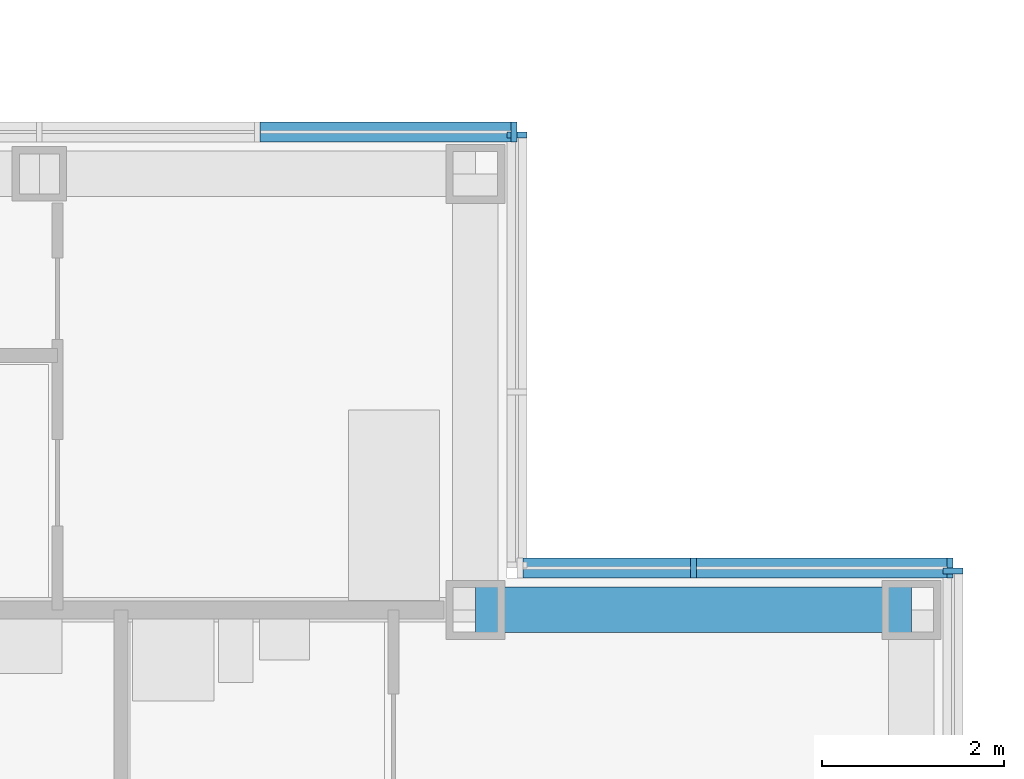
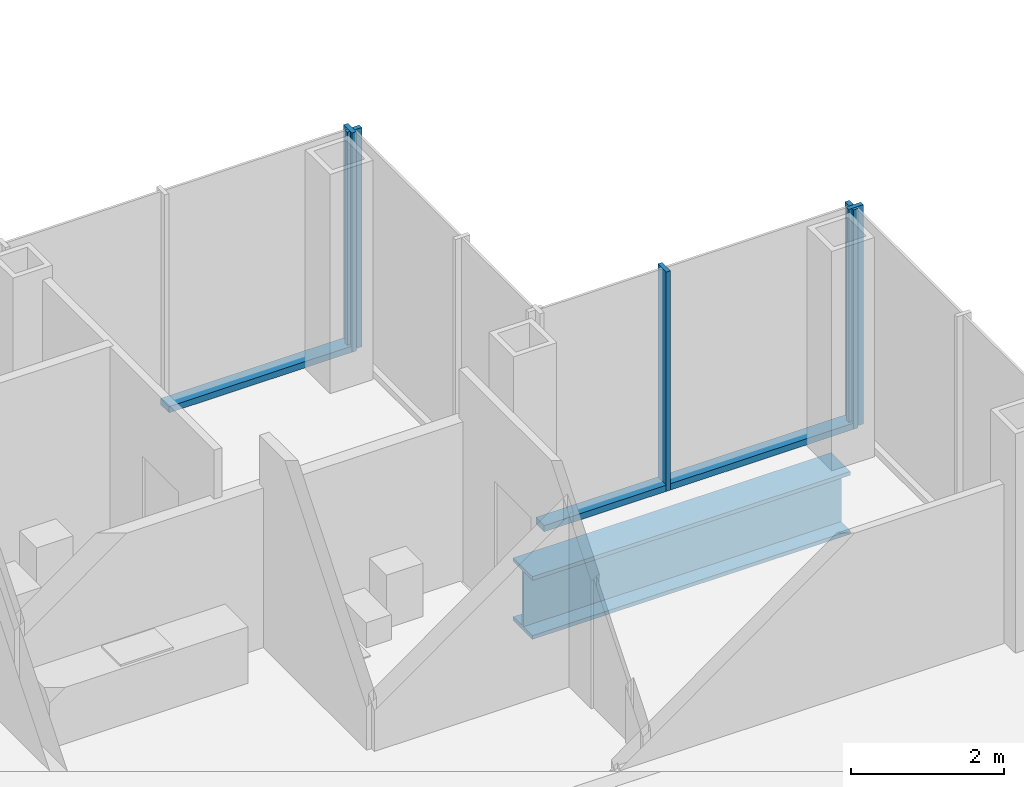
# One storey, part 9 of 19: 8 members, 1 beam, 4 elements without a shape of their own.
"""IFC4 building model written with IfcOpenShell, lengths in metres."""

from ifc_helpers import new_model, si_unit, direction, frame, origin, origin_2d, place, context, subcontext, project, spatial, rectangle, i_section, extrude, material, material_profile, profile_set, type_object, element, aggregate, save


model = new_model("IFC4")

# Units and contexts
model_context = context("Model", 3, precision=1e-05, world=origin(), true_north=direction((0.0, 1.0)))
body_context = subcontext(model_context, "Body", "Model", "MODEL_VIEW")
ifc_project = project(units=[si_unit("LENGTHUNIT", "METRE"), si_unit("AREAUNIT", "SQUARE_METRE"), si_unit("VOLUMEUNIT", "CUBIC_METRE"), si_unit("PLANEANGLEUNIT", "RADIAN"), si_unit("MASSUNIT", "GRAM", prefix="KILO")], contexts=[model_context])

# Site, building, storey
site_placement = place(None, origin())
site = spatial("IfcSite", under=ifc_project, at=site_placement, CompositionType="ELEMENT")
building_placement = place(site_placement, origin())
building = spatial("IfcBuilding", under=site, at=building_placement, Name="Kvirike Care Tower", CompositionType="ELEMENT")
storey_placement = place(building_placement, frame((0.0, 0.0, 87.5)))
storey = spatial("IfcBuildingStorey", under=building, at=storey_placement, Name="L23", CompositionType="ELEMENT", Elevation=87.5)

# Curtain wall, member
ifc_material_1 = material(Name="Anodised aluminium stick system", Category="aluminium")
curtain_wall_type = type_object("IfcCurtainWallType", Name="CW-B STICK CURTAIN WALL", PredefinedType="NOTDEFINED", material=ifc_material_1)
curtain_wall_1_placement = place(storey_placement, origin())
curtain_wall_1 = element("IfcCurtainWall", 1, at=curtain_wall_1_placement, inside=storey, type_object=curtain_wall_type, Name="Curtain wall L23 face 1", PredefinedType="NOTDEFINED")
ifc_material_2 = material(Name="Bronze anodised aluminium mullion", Category="aluminium")
ifc_material_profile_1 = material_profile(ifc_material_2, rectangle(XDim=0.06494140625, YDim=0.219970703125, at=origin_2d()), Name="CW-B MULLION 65x220")
ifc_profile_set_1 = profile_set([ifc_material_profile_1], Name="Bronze anodised aluminium mullion")
member_type_1 = type_object("IfcMemberType", Name="CW-B MULLION 65x220", PredefinedType="MULLION", material=ifc_profile_set_1)
member_1_placement = place(storey_placement, frame((43.659912109375, 38.827392578125, 0.0), z_axis=(0.0, 0.0, 1.0), x_axis=(0.0, 1.0, 0.0)))
member_1 = element("IfcMember", 2, at=member_1_placement, type_object=member_type_1, Name="CW-B mullion L23 face 1.9", PredefinedType="MULLION", context=body_context, shape_type="SweptSolid", body=[
    extrude(rectangle(XDim=0.06494140625, YDim=0.219970703125, at=origin_2d()), origin(), (0.0, 0.0, 1.0), 3.5),
])
aggregate(curtain_wall_1, [member_1])

# Curtain wall, members
curtain_wall_2_placement = place(storey_placement, origin())
curtain_wall_2 = element("IfcCurtainWall", 3, at=curtain_wall_2_placement, inside=storey, type_object=curtain_wall_type, Name="Curtain wall L23 face 2", PredefinedType="NOTDEFINED")
member_2_placement = place(storey_placement, frame((43.62744140625, 38.860107421875, 0.0), z_axis=(0.0, 0.0, 1.0), x_axis=(-1.0, 0.0, 0.0)))
member_2 = element("IfcMember", 4, at=member_2_placement, type_object=member_type_1, Name="CW-B mullion L23 face 2.1", PredefinedType="MULLION", context=body_context, shape_type="SweptSolid", body=[
    extrude(rectangle(XDim=0.06494140625, YDim=0.219970703125, at=origin_2d()), origin(), (0.0, 0.0, 1.0), 3.5),
])
member_3_placement = place(storey_placement, frame((40.800048828125, 38.860107421875, 0.0), z_axis=(0.0, 0.0, 1.0), x_axis=(-1.0, 0.0, 0.0)))
member_3 = element("IfcMember", 5, at=member_3_placement, type_object=member_type_1, Name="CW-B mullion L23 face 2.2", PredefinedType="MULLION", context=body_context, shape_type="SweptSolid", body=[
    extrude(rectangle(XDim=0.06494140625, YDim=0.219970703125, at=origin_2d()), origin(), (0.0, 0.0, 1.0), 3.5),
])

# Curtain wall, member
curtain_wall_3_placement = place(storey_placement, origin())
curtain_wall_3 = element("IfcCurtainWall", 6, at=curtain_wall_3_placement, inside=storey, type_object=curtain_wall_type, Name="Curtain wall L23 face 3", PredefinedType="NOTDEFINED")
member_4_placement = place(storey_placement, frame((38.860107421875, 43.62744140625, 0.0), z_axis=(0.0, 0.0, 1.0), x_axis=(0.0, 1.0, 0.0)))
member_4 = element("IfcMember", 7, at=member_4_placement, type_object=member_type_1, Name="CW-B mullion L23 face 3.3", PredefinedType="MULLION", context=body_context, shape_type="SweptSolid", body=[
    extrude(rectangle(XDim=0.06494140625, YDim=0.219970703125, at=origin_2d()), origin(), (0.0, 0.0, 1.0), 3.5),
])
aggregate(curtain_wall_3, [member_4])

curtain_wall_4_placement = place(storey_placement, origin())
curtain_wall_4 = element("IfcCurtainWall", 8, at=curtain_wall_4_placement, inside=storey, type_object=curtain_wall_type, Name="Curtain wall L23 face 4", PredefinedType="NOTDEFINED")
member_5_placement = place(storey_placement, frame((38.827392578125, 43.659912109375, 0.0), z_axis=(0.0, 0.0, 1.0), x_axis=(-1.0, 0.0, 0.0)))
member_5 = element("IfcMember", 9, at=member_5_placement, type_object=member_type_1, Name="CW-B mullion L23 face 4.1", PredefinedType="MULLION", context=body_context, shape_type="SweptSolid", body=[
    extrude(rectangle(XDim=0.06494140625, YDim=0.219970703125, at=origin_2d()), origin(), (0.0, 0.0, 1.0), 3.5),
])

# Member
ifc_material_3 = material(Name="Bronze anodised aluminium transom", Category="aluminium")
ifc_material_profile_2 = material_profile(ifc_material_3, rectangle(XDim=0.219970703125, YDim=0.10009765625, at=origin_2d()), Name="CW-B TRANSOM 220x100")
ifc_profile_set_2 = profile_set([ifc_material_profile_2], Name="Bronze anodised aluminium transom")
member_type_2 = type_object("IfcMemberType", Name="CW-B TRANSOM 220x100", PredefinedType="USERDEFINED", material=ifc_profile_set_2)
member_6_placement = place(storey_placement, frame((43.594970703125, 38.860107421875, 0.050048828125), z_axis=(-1.0, 0.0, 0.0), x_axis=(0.0, -1.0, 0.0)))
member_6 = element("IfcMember", 10, at=member_6_placement, type_object=member_type_2, Name="CW-B sill transom L23 face 2.1", ObjectType="TRANSOM", PredefinedType="USERDEFINED", context=body_context, shape_type="SweptSolid", body=[
    extrude(rectangle(XDim=0.219970703125, YDim=0.10009765625, at=origin_2d()), origin(), (0.0, 0.0, 1.0), 2.762451171875),
])

member_7_placement = place(storey_placement, frame((40.767578125, 38.860107421875, 0.050048828125), z_axis=(-1.0, 0.0, 0.0), x_axis=(0.0, -1.0, 0.0)))
member_7 = element("IfcMember", 11, at=member_7_placement, type_object=member_type_2, Name="CW-B sill transom L23 face 2.2", ObjectType="TRANSOM", PredefinedType="USERDEFINED", context=body_context, shape_type="SweptSolid", body=[
    extrude(rectangle(XDim=0.219970703125, YDim=0.10009765625, at=origin_2d()), origin(), (0.0, 0.0, 1.0), 1.842529296875),
])

aggregate(curtain_wall_2, [member_2, member_3, member_6, member_7])

member_8_placement = place(storey_placement, frame((38.794921875, 43.659912109375, 0.050048828125), z_axis=(-1.0, 0.0, 0.0), x_axis=(0.0, -1.0, 0.0)))
member_8 = element("IfcMember", 12, at=member_8_placement, type_object=member_type_2, Name="CW-B sill transom L23 face 4.1", ObjectType="TRANSOM", PredefinedType="USERDEFINED", context=body_context, shape_type="SweptSolid", body=[
    extrude(rectangle(XDim=0.219970703125, YDim=0.10009765625, at=origin_2d()), origin(), (0.0, 0.0, 1.0), 2.762451171875),
])

aggregate(curtain_wall_4, [member_5, member_8])

# Beam
ifc_material_4 = material(Name="Steel S355", Category="steel")
ifc_material_profile_3 = material_profile(ifc_material_4, i_section(OverallWidth=0.5, OverallDepth=1.0, WebThickness=0.030029296875, FlangeThickness=0.06005859375, at=origin_2d()), Name="PG 1000x500x30x60")
ifc_profile_set_3 = profile_set([ifc_material_profile_3], Name="Steel S355")
beam_type = type_object("IfcBeamType", Name="SPANDREL PG 1000x500x30x60", PredefinedType="SPANDREL", material=ifc_profile_set_3)
beam_placement = place(storey_placement, frame((38.39990234375, 38.39990234375, -0.669921875), z_axis=(1.0, 0.0, 0.0), x_axis=(0.0, 1.0, 0.0)))
element("IfcBeam", 13, at=beam_placement, inside=storey, type_object=beam_type, Name="Spandrel J11-J12 L23", PredefinedType="SPANDREL", context=body_context, shape_type="SweptSolid", body=[
    extrude(i_section(OverallWidth=0.5, OverallDepth=1.0, WebThickness=0.030029296875, FlangeThickness=0.06005859375, at=origin_2d()), origin(), (0.0, 0.0, 1.0), 4.800048828125),
])

save(model, "model.ifc")
